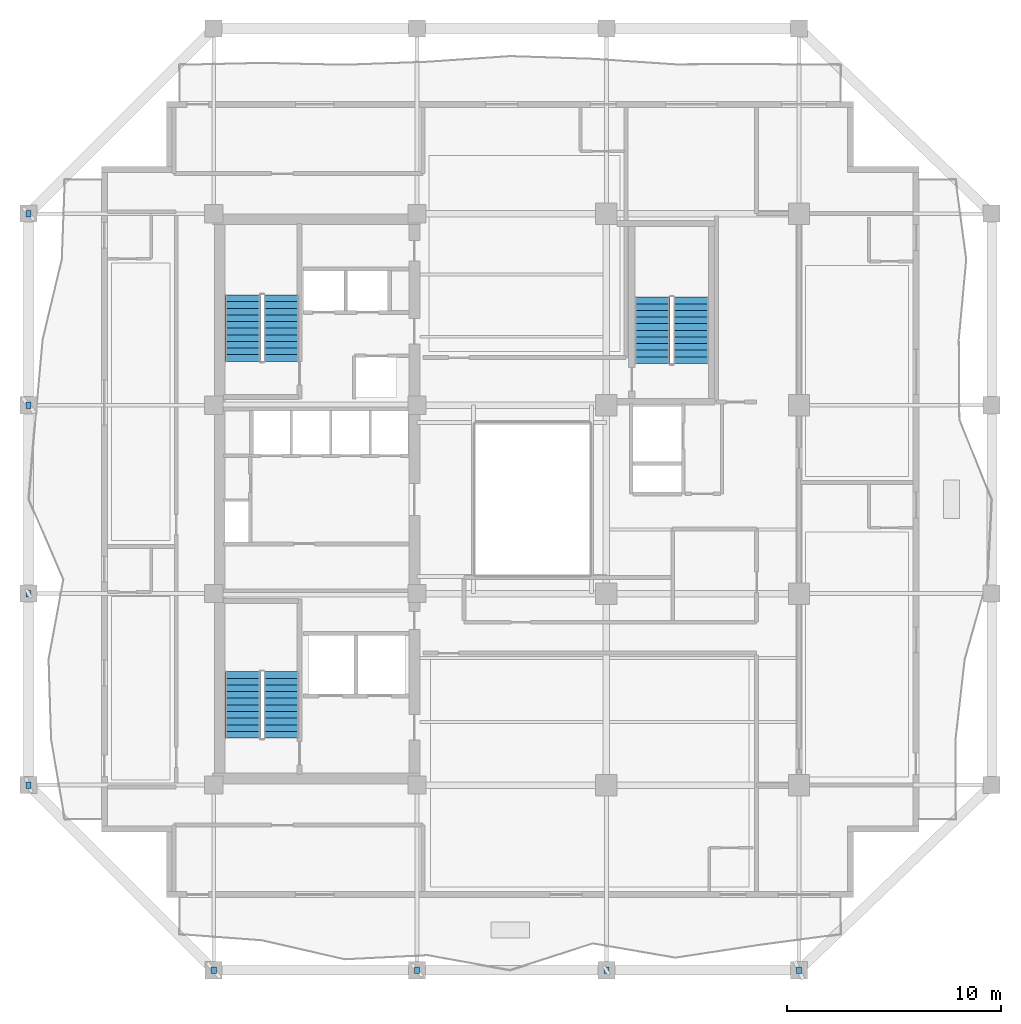
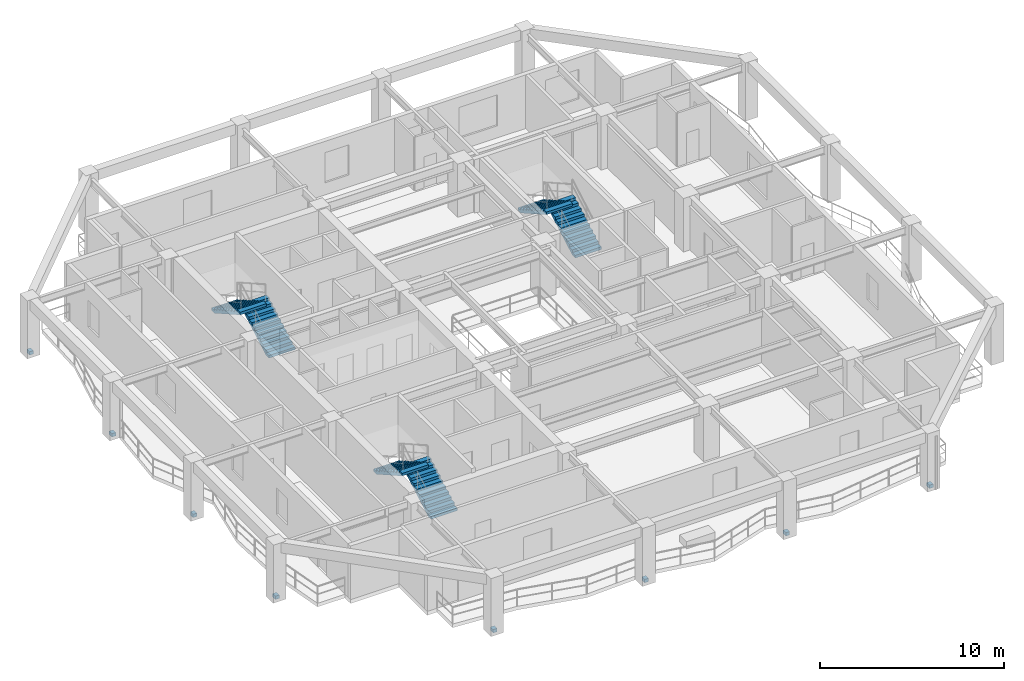
# One storey, part 6 of 10: 8 discrete accessories, 6 stair flights, 3 elements without a shape of their own.
"""IFC4 building model written with IfcOpenShell, lengths in metres."""

import ifcopenshell
import ifcopenshell.guid

model = None  # the IFC model being written
_history = None  # IfcOwnerHistory: only IFC2X3 demands one
_inside = {}  # id of a spatial element -> (the spatial element, [elements in it])
_under = {}  # id of a project, library or spatial element -> (it, [spatial elements below it])
_declared = {}  # id of a project -> (the project, [libraries it declares])
_typed = {}  # id of a type object -> (the type object, [elements of that type])
_made_of = {}  # id of a material, layer set ... -> (it, [elements and type objects made of it])


def new_model(schema):
    """Start an empty IFC model of exactly this schema.

    Asked for "IFC4X3", IfcOpenShell would pick the latest addendum, in which some entities
    have other attributes; the version numbers below select the first issue.
    IFC2X3 requires an IfcOwnerHistory on every rooted entity: one is made here for all.
    """
    global model, _history
    if schema == "IFC4X3":
        model = ifcopenshell.file(schema_version=(4, 3, 0, 0))
    else:
        model = ifcopenshell.file(schema=schema)
    _inside.clear()
    _under.clear()
    _declared.clear()
    _typed.clear()
    _made_of.clear()
    _history = None
    if model.schema == "IFC2X3":
        org = make("IfcOrganization", Name="unknown")
        user = make(
            "IfcPersonAndOrganization",
            ThePerson=make("IfcPerson", FamilyName="unknown"),
            TheOrganization=org,
        )
        app = make(
            "IfcApplication",
            ApplicationDeveloper=org,
            Version="unknown",
            ApplicationFullName="unknown",
            ApplicationIdentifier="unknown",
        )
        _history = make(
            "IfcOwnerHistory",
            OwningUser=user,
            OwningApplication=app,
            ChangeAction="ADDED",
            CreationDate=0,
        )
    return model


def make(cls, **values):
    """One entity of the class cls with the attributes given. An attribute that is None is left unset."""
    return model.create_entity(
        cls, **{name: value for name, value in values.items() if value is not None}
    )


def rooted(cls, **values):
    """An entity with a GlobalId (a new one), such as an element, a storey or a relation."""
    return make(cls, GlobalId=ifcopenshell.guid.new(), OwnerHistory=_history, **values)


def si_unit(unit_type, name, prefix=None):
    """IfcSIUnit, for example si_unit("LENGTHUNIT", "METRE", prefix="MILLI")."""
    return make("IfcSIUnit", UnitType=unit_type, Prefix=prefix, Name=name)


def assignment(units):
    """IfcUnitAssignment: the units of a project."""
    return None if units is None else make("IfcUnitAssignment", Units=units)


def point(xyz):
    """IfcCartesianPoint."""
    return None if xyz is None else make("IfcCartesianPoint", Coordinates=xyz)


def direction(xyz):
    """IfcDirection."""
    return None if xyz is None else make("IfcDirection", DirectionRatios=xyz)


def frame(location, z_axis=None, x_axis=None):
    """IfcAxis2Placement3D, a coordinate frame: its origin and axes. An axis left out is left unset."""
    return make(
        "IfcAxis2Placement3D",
        Location=point(location),
        Axis=direction(z_axis),
        RefDirection=direction(x_axis),
    )


def frame_2d(location, x_axis=None):
    """IfcAxis2Placement2D, a coordinate frame in the plane: its origin and x axis."""
    return make(
        "IfcAxis2Placement2D", Location=point(location), RefDirection=direction(x_axis)
    )


def origin():
    """The frame at (0, 0, 0) with its axes left unset."""
    return frame((0.0, 0.0, 0.0))


def origin_2d():
    """The frame at (0, 0) in the plane with its x axis left unset."""
    return frame_2d((0.0, 0.0))


def place(relative_to, where):
    """IfcLocalPlacement: puts the frame where relative to a parent placement (None: the world)."""
    return make(
        "IfcLocalPlacement", PlacementRelTo=relative_to, RelativePlacement=where
    )


def context(
    kind, dimensions, precision=None, world=None, true_north=None, identifier=None
):
    """IfcGeometricRepresentationContext, for example the 3D "Model" context."""
    return make(
        "IfcGeometricRepresentationContext",
        ContextIdentifier=identifier,
        ContextType=kind,
        CoordinateSpaceDimension=dimensions,
        Precision=precision,
        WorldCoordinateSystem=world,
        TrueNorth=true_north,
    )


def subcontext(parent, identifier, kind, view, scale=None):
    """IfcGeometricRepresentationSubContext, for example "Body" below "Model"."""
    return make(
        "IfcGeometricRepresentationSubContext",
        ContextIdentifier=identifier,
        ContextType=kind,
        ParentContext=parent,
        TargetScale=scale,
        TargetView=view,
    )


def project(units=None, contexts=None):
    """IfcProject with its units and contexts."""
    return rooted(
        "IfcProject",
        Name="project",
        RepresentationContexts=contexts,
        UnitsInContext=assignment(units),
    )


def spatial(cls, under=None, at=None, **own):
    """A site, building, storey or space (cls), placed at a placement, below another one or the project."""
    s = rooted(cls, ObjectPlacement=at, **own)
    if under is not None:
        _under.setdefault(under.id(), (under, []))[1].append(s)
    return s


def polyline(points):
    """IfcPolyline through the points."""
    return make("IfcPolyline", Points=[point(p) for p in points])


def profile(cls, at=None, kind="AREA", **sizes):
    """A parametric profile (cls). Its sizes go by their IFC names, for example OverallWidth=200.0."""
    return make(cls, ProfileType=kind, Position=at, **sizes)


def rectangle(**sizes):
    """IfcRectangleProfileDef."""
    return profile("IfcRectangleProfileDef", **sizes)


def outline(outer, holes=None, kind="AREA"):
    """IfcArbitraryClosedProfileDef: a profile drawn as a closed curve; with holes, ...WithVoids."""
    if holes is None:
        return make("IfcArbitraryClosedProfileDef", ProfileType=kind, OuterCurve=outer)
    return make(
        "IfcArbitraryProfileDefWithVoids",
        ProfileType=kind,
        OuterCurve=outer,
        InnerCurves=holes,
    )


def extrude(swept, where, along, depth):
    """IfcExtrudedAreaSolid: the profile swept, set in the frame where, extruded along a direction by depth."""
    return make(
        "IfcExtrudedAreaSolid",
        SweptArea=swept,
        Position=where,
        ExtrudedDirection=direction(along),
        Depth=depth,
    )


def shape(context_of_items, identifier, shape_type, items):
    """IfcShapeRepresentation: the items that make up one representation, for example the "Body"."""
    return make(
        "IfcShapeRepresentation",
        ContextOfItems=context_of_items,
        RepresentationIdentifier=identifier,
        RepresentationType=shape_type,
        Items=items,
    )


def material(Name=None, Category=None):
    """IfcMaterial."""
    return make("IfcMaterial", Name=Name, Category=Category)


def made_of(thing, what):
    """Note that an element or type object is made of a material, layer set ...; save() writes the relation."""
    if what is not None:
        _made_of.setdefault(what.id(), (what, []))[1].append(thing)
    return thing


def type_object(cls, material=None, **own):
    """A type object (cls), such as IfcWallType, which elements share."""
    return made_of(rooted(cls, **own), material)


def element(
    cls,
    number,
    at=None,
    inside=None,
    cuts=None,
    type_object=None,
    material=None,
    context=None,
    identifier="Body",
    shape_type=None,
    held_by="IfcProductDefinitionShape",
    body=None,
    shapes=None,
    **own,
):
    """One element of the class cls, such as IfcWall. Its Tag is "e" and its number.

    at: its placement. inside: the storey or other place that contains it. cuts: it is an
    opening in that element (IfcRelVoidsElement). A single representation is given by context,
    identifier, shape_type and body (its items); several are given by shapes. held_by: the class
    of the entity that holds the representations. save() writes the other relations.
    """
    e = rooted(cls, Tag="e%d" % number, ObjectPlacement=at, **own)
    if body is not None:
        shapes = [shape(context, identifier, shape_type, body)]
    if shapes is not None:
        e.Representation = make(held_by, Representations=shapes)
    if inside is not None:
        _inside.setdefault(inside.id(), (inside, []))[1].append(e)
    if cuts is not None:
        rooted(
            "IfcRelVoidsElement", RelatingBuildingElement=cuts, RelatedOpeningElement=e
        )
    if type_object is not None:
        _typed.setdefault(type_object.id(), (type_object, []))[1].append(e)
    return made_of(e, material)


def aggregate(whole, parts):
    """IfcRelAggregates: a whole, such as a stair, and the parts it consists of."""
    return rooted("IfcRelAggregates", RelatingObject=whole, RelatedObjects=parts)


def save(model, path):
    """Write the relations noted so far, then the file.

    IfcRelAggregates (storeys below a building ...), IfcRelContainedInSpatialStructure (elements
    in a storey), IfcRelDefinesByType, IfcRelAssociatesMaterial and IfcRelDeclares: one each for
    every whole, place, type object, material and project.
    """
    for whole, parts in _under.values():
        aggregate(whole, parts)
    for where, things in _inside.values():
        rooted(
            "IfcRelContainedInSpatialStructure",
            RelatedElements=things,
            RelatingStructure=where,
        )
    for kind, things in _typed.values():
        rooted("IfcRelDefinesByType", RelatedObjects=things, RelatingType=kind)
    for what, things in _made_of.values():
        rooted("IfcRelAssociatesMaterial", RelatedObjects=things, RelatingMaterial=what)
    for by, libraries in _declared.values():
        rooted("IfcRelDeclares", RelatingContext=by, RelatedDefinitions=libraries)
    model.write(path)


model = new_model("IFC4")

# Units and contexts
model_context = context("Model", 3, precision=1e-05, world=origin(), true_north=direction((0.0, 1.0)))
body_context = subcontext(model_context, "Body", "Model", "MODEL_VIEW")
ifc_project = project(units=[si_unit("LENGTHUNIT", "METRE"), si_unit("AREAUNIT", "SQUARE_METRE"), si_unit("VOLUMEUNIT", "CUBIC_METRE"), si_unit("PLANEANGLEUNIT", "RADIAN"), si_unit("MASSUNIT", "GRAM", prefix="KILO")], contexts=[model_context])

# Site, building, storey
site_placement = place(None, origin())
site = spatial("IfcSite", under=ifc_project, at=site_placement, CompositionType="ELEMENT")
building_placement = place(site_placement, origin())
building = spatial("IfcBuilding", under=site, at=building_placement, Name="Kundavana Baori Tower", CompositionType="ELEMENT")
storey_placement = place(building_placement, frame((0.0, 0.0, 150.199951171875)))
storey = spatial("IfcBuildingStorey", under=building, at=storey_placement, Name="L36", CompositionType="ELEMENT", Elevation=150.199951171875)

# Stair, stair flights
ifc_material_1 = material(Name="Concrete C40/50", Category="concrete")
stair_type = type_object("IfcStairType", Name="STR-DOG-1650", PredefinedType="HALF_TURN_STAIR", material=ifc_material_1)
stair_1_placement = place(storey_placement, origin())
stair_1 = element("IfcStair", 1, at=stair_1_placement, inside=storey, type_object=stair_type, Name="L36 Protected Exit Stair ST1", PredefinedType="HALF_TURN_STAIR")
ifc_material_2 = material(Name="Concrete C40/50", Category="concrete")
stair_flight_type = type_object("IfcStairFlightType", Name="SFL-RC-1650", PredefinedType="STRAIGHT", material=ifc_material_2)
stair_flight_1_placement = place(storey_placement, frame((18.614990234375, 17.449951171875, 0.0), z_axis=(0.0, 0.0, 1.0), x_axis=(0.0, 1.0, 0.0)))
stair_flight_1 = element("IfcStairFlight", 2, at=stair_flight_1_placement, type_object=stair_flight_type, Name="ST1 flight 1", NumberOfRisers=11, NumberOfTreads=10, PredefinedType="STRAIGHT", RiserHeight=0.175, TreadLength=0.31, context=body_context, shape_type="SweptSolid", body=[
    extrude(outline(polyline([(0.0, 0.0), (0.0, 0.175048828125), (0.31005859375, 0.175048828125), (0.31005859375, 0.35009765625), (0.6201171875, 0.35009765625), (0.6201171875, 0.52490234375), (0.929931640625, 0.52490234375), (0.929931640625, 0.699951171875), (1.239990234375, 0.699951171875), (1.239990234375, 0.875), (1.550048828125, 0.875), (1.550048828125, 1.050048828125), (1.860107421875, 1.050048828125), (1.860107421875, 1.22509765625), (2.169921875, 1.22509765625), (2.169921875, 1.39990234375), (2.47998046875, 1.39990234375), (2.47998046875, 1.574951171875), (2.7900390625, 1.574951171875), (2.7900390625, 1.75), (3.10009765625, 1.75), (3.10009765625, 1.925048828125), (3.10009765625, 1.577880859375), (0.304931640625, 0.0), (0.0, 0.0)])), frame((0.0, 0.824951171875, 0.0), z_axis=(0.0, -1.0, 0.0), x_axis=(1.0, 0.0, 0.0)), (0.0, 0.0, 1.0), 1.64990234375),
])
stair_flight_2_placement = place(storey_placement, frame((16.804931640625, 20.550048828125, 1.925048828125), z_axis=(0.0, 0.0, 1.0), x_axis=(0.0, -1.0, 0.0)))
stair_flight_2 = element("IfcStairFlight", 3, at=stair_flight_2_placement, type_object=stair_flight_type, Name="ST1 flight 2", NumberOfRisers=11, NumberOfTreads=10, PredefinedType="STRAIGHT", RiserHeight=0.175, TreadLength=0.31, context=body_context, shape_type="SweptSolid", body=[
    extrude(outline(polyline([(0.0, 0.0), (0.0, 0.175048828125), (0.31005859375, 0.175048828125), (0.31005859375, 0.35009765625), (0.6201171875, 0.35009765625), (0.6201171875, 0.52490234375), (0.929931640625, 0.52490234375), (0.929931640625, 0.699951171875), (1.239990234375, 0.699951171875), (1.239990234375, 0.875), (1.550048828125, 0.875), (1.550048828125, 1.050048828125), (1.860107421875, 1.050048828125), (1.860107421875, 1.22509765625), (2.169921875, 1.22509765625), (2.169921875, 1.39990234375), (2.47998046875, 1.39990234375), (2.47998046875, 1.574951171875), (2.7900390625, 1.574951171875), (2.7900390625, 1.75), (3.10009765625, 1.75), (3.10009765625, 1.925048828125), (3.10009765625, 1.577880859375), (0.304931640625, 0.0), (0.0, 0.0)])), frame((0.0, 0.824951171875, 0.0), z_axis=(0.0, -1.0, 0.0), x_axis=(1.0, 0.0, 0.0)), (0.0, 0.0, 1.0), 1.64990234375),
])
aggregate(stair_1, [stair_flight_1, stair_flight_2])

stair_2_placement = place(storey_placement, origin())
stair_2 = element("IfcStair", 4, at=stair_2_placement, inside=storey, type_object=stair_type, Name="L36 Protected Exit Stair ST2", PredefinedType="HALF_TURN_STAIR")
stair_flight_3_placement = place(storey_placement, frame((18.614990234375, 35.050048828125, 0.0), z_axis=(0.0, 0.0, 1.0), x_axis=(0.0, 1.0, 0.0)))
stair_flight_3 = element("IfcStairFlight", 5, at=stair_flight_3_placement, type_object=stair_flight_type, Name="ST2 flight 1", NumberOfRisers=11, NumberOfTreads=10, PredefinedType="STRAIGHT", RiserHeight=0.175, TreadLength=0.31, context=body_context, shape_type="SweptSolid", body=[
    extrude(outline(polyline([(0.0, 0.0), (0.0, 0.175048828125), (0.31005859375, 0.175048828125), (0.31005859375, 0.35009765625), (0.6201171875, 0.35009765625), (0.6201171875, 0.52490234375), (0.929931640625, 0.52490234375), (0.929931640625, 0.699951171875), (1.239990234375, 0.699951171875), (1.239990234375, 0.875), (1.550048828125, 0.875), (1.550048828125, 1.050048828125), (1.860107421875, 1.050048828125), (1.860107421875, 1.22509765625), (2.169921875, 1.22509765625), (2.169921875, 1.39990234375), (2.47998046875, 1.39990234375), (2.47998046875, 1.574951171875), (2.7900390625, 1.574951171875), (2.7900390625, 1.75), (3.10009765625, 1.75), (3.10009765625, 1.925048828125), (3.10009765625, 1.577880859375), (0.304931640625, 0.0), (0.0, 0.0)])), frame((0.0, 0.824951171875, 0.0), z_axis=(0.0, -1.0, 0.0), x_axis=(1.0, 0.0, 0.0)), (0.0, 0.0, 1.0), 1.64990234375),
])
stair_flight_4_placement = place(storey_placement, frame((16.804931640625, 38.14990234375, 1.925048828125), z_axis=(0.0, 0.0, 1.0), x_axis=(0.0, -1.0, 0.0)))
stair_flight_4 = element("IfcStairFlight", 6, at=stair_flight_4_placement, type_object=stair_flight_type, Name="ST2 flight 2", NumberOfRisers=11, NumberOfTreads=10, PredefinedType="STRAIGHT", RiserHeight=0.175, TreadLength=0.31, context=body_context, shape_type="SweptSolid", body=[
    extrude(outline(polyline([(0.0, 0.0), (0.0, 0.175048828125), (0.31005859375, 0.175048828125), (0.31005859375, 0.35009765625), (0.6201171875, 0.35009765625), (0.6201171875, 0.52490234375), (0.929931640625, 0.52490234375), (0.929931640625, 0.699951171875), (1.239990234375, 0.699951171875), (1.239990234375, 0.875), (1.550048828125, 0.875), (1.550048828125, 1.050048828125), (1.860107421875, 1.050048828125), (1.860107421875, 1.22509765625), (2.169921875, 1.22509765625), (2.169921875, 1.39990234375), (2.47998046875, 1.39990234375), (2.47998046875, 1.574951171875), (2.7900390625, 1.574951171875), (2.7900390625, 1.75), (3.10009765625, 1.75), (3.10009765625, 1.925048828125), (3.10009765625, 1.577880859375), (0.304931640625, 0.0), (0.0, 0.0)])), frame((0.0, 0.824951171875, 0.0), z_axis=(0.0, -1.0, 0.0), x_axis=(1.0, 0.0, 0.0)), (0.0, 0.0, 1.0), 1.64990234375),
])
aggregate(stair_2, [stair_flight_3, stair_flight_4])

stair_3_placement = place(storey_placement, origin())
stair_3 = element("IfcStair", 7, at=stair_3_placement, inside=storey, type_object=stair_type, Name="L36 Protected Exit Stair ST3", PredefinedType="HALF_TURN_STAIR")
stair_flight_5_placement = place(storey_placement, frame((37.7548828125, 34.949951171875, 0.0), z_axis=(0.0, 0.0, 1.0), x_axis=(0.0, 1.0, 0.0)))
stair_flight_5 = element("IfcStairFlight", 8, at=stair_flight_5_placement, type_object=stair_flight_type, Name="ST3 flight 1", NumberOfRisers=11, NumberOfTreads=10, PredefinedType="STRAIGHT", RiserHeight=0.175, TreadLength=0.31, context=body_context, shape_type="SweptSolid", body=[
    extrude(outline(polyline([(0.0, 0.0), (0.0, 0.175048828125), (0.31005859375, 0.175048828125), (0.31005859375, 0.35009765625), (0.6201171875, 0.35009765625), (0.6201171875, 0.52490234375), (0.929931640625, 0.52490234375), (0.929931640625, 0.699951171875), (1.239990234375, 0.699951171875), (1.239990234375, 0.875), (1.550048828125, 0.875), (1.550048828125, 1.050048828125), (1.860107421875, 1.050048828125), (1.860107421875, 1.22509765625), (2.169921875, 1.22509765625), (2.169921875, 1.39990234375), (2.47998046875, 1.39990234375), (2.47998046875, 1.574951171875), (2.7900390625, 1.574951171875), (2.7900390625, 1.75), (3.10009765625, 1.75), (3.10009765625, 1.925048828125), (3.10009765625, 1.577880859375), (0.304931640625, 0.0), (0.0, 0.0)])), frame((0.0, 0.824951171875, 0.0), z_axis=(0.0, -1.0, 0.0), x_axis=(1.0, 0.0, 0.0)), (0.0, 0.0, 1.0), 1.64990234375),
])
stair_flight_6_placement = place(storey_placement, frame((35.945068359375, 38.050048828125, 1.925048828125), z_axis=(0.0, 0.0, 1.0), x_axis=(0.0, -1.0, 0.0)))
stair_flight_6 = element("IfcStairFlight", 9, at=stair_flight_6_placement, type_object=stair_flight_type, Name="ST3 flight 2", NumberOfRisers=11, NumberOfTreads=10, PredefinedType="STRAIGHT", RiserHeight=0.175, TreadLength=0.31, context=body_context, shape_type="SweptSolid", body=[
    extrude(outline(polyline([(0.0, 0.0), (0.0, 0.175048828125), (0.31005859375, 0.175048828125), (0.31005859375, 0.35009765625), (0.6201171875, 0.35009765625), (0.6201171875, 0.52490234375), (0.929931640625, 0.52490234375), (0.929931640625, 0.699951171875), (1.239990234375, 0.699951171875), (1.239990234375, 0.875), (1.550048828125, 0.875), (1.550048828125, 1.050048828125), (1.860107421875, 1.050048828125), (1.860107421875, 1.22509765625), (2.169921875, 1.22509765625), (2.169921875, 1.39990234375), (2.47998046875, 1.39990234375), (2.47998046875, 1.574951171875), (2.7900390625, 1.574951171875), (2.7900390625, 1.75), (3.10009765625, 1.75), (3.10009765625, 1.925048828125), (3.10009765625, 1.577880859375), (0.304931640625, 0.0), (0.0, 0.0)])), frame((0.0, 0.824951171875, 0.0), z_axis=(0.0, -1.0, 0.0), x_axis=(1.0, 0.0, 0.0)), (0.0, 0.0, 1.0), 1.64990234375),
])
aggregate(stair_3, [stair_flight_5, stair_flight_6])

# Discrete accessories
ifc_material_3 = material(Name="Structural Steel S355JR", Category="steel")
discrete_accessory_type = type_object("IfcDiscreteAccessoryType", Name="ACC-BRK-FIN", PredefinedType="BRACKET", material=ifc_material_3)
for number, where, z_axis, x_axis, name in (
    (10, (15.449951171875, 6.60009765625, 0.0), (0.0, 0.0, 1.0), (1.0, 0.0, 0.0), "L36 Stainless Fin Anchor Bracket 1"),
    (11, (24.949951171875, 6.60009765625, 0.0), (0.0, 0.0, 1.0), (1.0, 0.0, 0.0), "L36 Stainless Fin Anchor Bracket 2"),
    (12, (33.800048828125, 6.60009765625, 0.0), (0.0, 0.0, 1.0), (1.0, 0.0, 0.0), "L36 Stainless Fin Anchor Bracket 3"),
    (13, (42.800048828125, 6.60009765625, 0.0), (0.0, 0.0, 1.0), (1.0, 0.0, 0.0), "L36 Stainless Fin Anchor Bracket 4"),
    (14, (6.800048828125, 15.25, 0.0), (0.0, 0.0, 1.0), (1.0, 0.0, 0.0), "L36 Stainless Fin Anchor Bracket 5"),
    (15, (6.800048828125, 24.199951171875, 0.0), (0.0, 0.0, 1.0), (1.0, 0.0, 0.0), "L36 Stainless Fin Anchor Bracket 6"),
    (16, (6.800048828125, 33.0, 0.0), (0.0, 0.0, 1.0), (1.0, 0.0, 0.0), "L36 Stainless Fin Anchor Bracket 7"),
    (17, (6.800048828125, 41.949951171875, 0.0), (0.0, 0.0, 1.0), (1.0, 0.0, 0.0), "L36 Stainless Fin Anchor Bracket 8"),
):
    element("IfcDiscreteAccessory", number, at=place(storey_placement, frame(where, z_axis=z_axis, x_axis=x_axis)), inside=storey, type_object=discrete_accessory_type, Name=name, PredefinedType="BRACKET", context=body_context, shape_type="SweptSolid", body=[
        extrude(rectangle(XDim=0.239990234375, YDim=0.300048828125, at=origin_2d()), origin(), (0.0, 0.0, 1.0), 0.219970703125),
    ])

save(model, "model.ifc")
